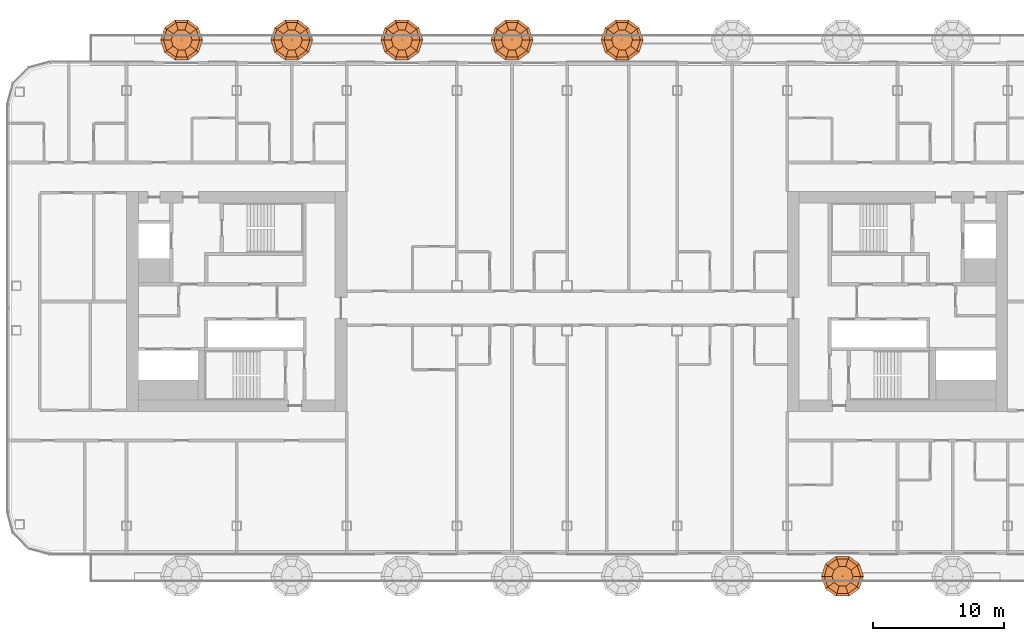
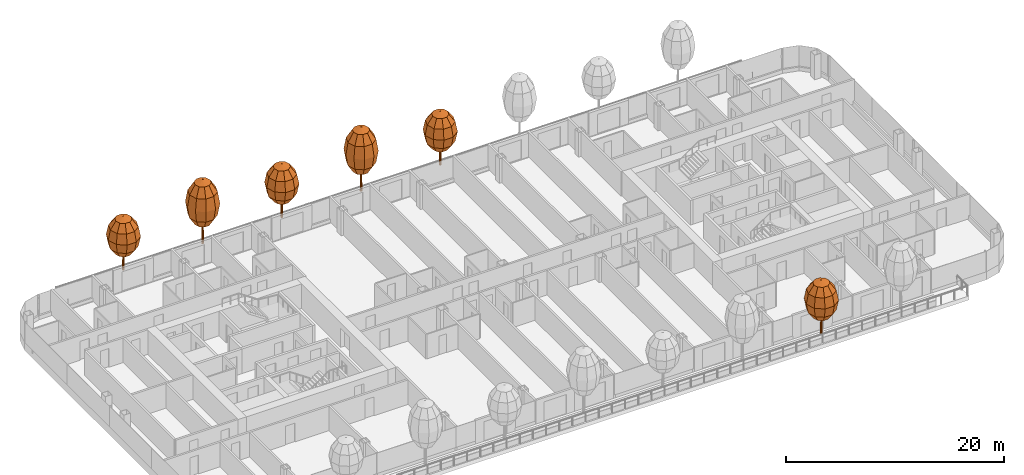
# One storey, part 29 of 30: 6 geographic elements.
"""IFC4 building model written with IfcOpenShell, lengths in metres."""

from ifc_helpers import new_model, si_unit, direction, frame, origin, place, context, subcontext, project, spatial, triangles, material, type_object, element, save


model = new_model("IFC4")

# Units and contexts
model_context = context("Model", 3, precision=1e-05, world=origin(), true_north=direction((0.0, 1.0)))
body_context = subcontext(model_context, "Body", "Model", "MODEL_VIEW")
ifc_project = project(units=[si_unit("LENGTHUNIT", "METRE"), si_unit("AREAUNIT", "SQUARE_METRE"), si_unit("VOLUMEUNIT", "CUBIC_METRE"), si_unit("PLANEANGLEUNIT", "RADIAN"), si_unit("MASSUNIT", "GRAM", prefix="KILO")], contexts=[model_context])

# Site, building, storey
site_placement = place(None, origin())
site = spatial("IfcSite", under=ifc_project, at=site_placement, CompositionType="ELEMENT")
building_placement = place(site_placement, origin())
building = spatial("IfcBuilding", under=site, at=building_placement, Name="Hakoniwa Tower and Hamabe Station Hall", CompositionType="ELEMENT")
storey_placement = place(building_placement, frame((0.0, 0.0, 137.39990234375)))
storey = spatial("IfcBuildingStorey", under=building, at=storey_placement, Name="L38", CompositionType="ELEMENT", Elevation=137.39990234375)

# Geographic elements
ifc_material_1 = material(Name="Tree foliage")
geographic_element_type_1 = type_object("IfcGeographicElementType", Name="Japanese maple 7.2 m", PredefinedType="USERDEFINED", material=ifc_material_1)
geographic_element_1_placement = place(storey_placement, frame((-21.0, 19.949951171875, 0.900146484375)))
element("IfcGeographicElement", 1, at=geographic_element_1_placement, inside=storey, type_object=geographic_element_type_1, Name="Japanese maple 7-2 m", ObjectType="TREE", PredefinedType="USERDEFINED", context=body_context, shape_type="Tessellation", body=[
    triangles([(0.125, 0.0, 0.0), (0.08837890625, 0.08837890625, 0.0), (0.0, 0.125, 0.0), (-0.08837890625, 0.08837890625, 0.0), (-0.125, 0.0, 0.0), (-0.08837890625, -0.08837890625, 0.0), (0.0, -0.125, 0.0), (0.08837890625, -0.08837890625, 0.0), (0.074951171875, 0.0, 4.348876953125), (0.052978515625, 0.052978515625, 4.348876953125), (0.0, 0.074951171875, 4.348876953125), (-0.052978515625, 0.052978515625, 4.348876953125), (-0.074951171875, 0.0, 4.348876953125), (-0.052978515625, -0.052978515625, 4.348876953125), (0.0, -0.074951171875, 4.348876953125), (0.052978515625, -0.052978515625, 4.348876953125), (0.0, 0.0, 0.0), (0.0, 0.0, 4.348876953125)], [[1, 2, 10], [1, 10, 9], [17, 2, 1], [18, 9, 10], [2, 3, 11], [2, 11, 10], [17, 3, 2], [18, 10, 11], [3, 4, 12], [3, 12, 11], [17, 4, 3], [18, 11, 12], [4, 5, 13], [4, 13, 12], [17, 5, 4], [18, 12, 13], [5, 6, 14], [5, 14, 13], [17, 6, 5], [18, 13, 14], [6, 7, 15], [6, 15, 14], [17, 7, 6], [18, 14, 15], [7, 8, 16], [7, 16, 15], [17, 8, 7], [18, 15, 16], [8, 1, 9], [8, 9, 16], [17, 1, 8], [18, 16, 9]], closed=True),
    triangles([(0.0, 0.0, 2.015869140625), (0.800048828125, 0.0, 2.36328125), (0.647216796875, 0.47021484375, 2.36328125), (0.247314453125, 0.7607421875, 2.36328125), (-0.247314453125, 0.7607421875, 2.36328125), (-0.647216796875, 0.47021484375, 2.36328125), (-0.800048828125, 0.0, 2.36328125), (-0.647216796875, -0.47021484375, 2.36328125), (-0.247314453125, -0.7607421875, 2.36328125), (0.247314453125, -0.7607421875, 2.36328125), (0.647216796875, -0.47021484375, 2.36328125), (1.385498046875, 0.0, 3.31201171875), (1.12109375, 0.814453125, 3.31201171875), (0.42822265625, 1.31787109375, 3.31201171875), (-0.42822265625, 1.31787109375, 3.31201171875), (-1.12109375, 0.814453125, 3.31201171875), (-1.385498046875, 0.0, 3.31201171875), (-1.12109375, -0.814453125, 3.31201171875), (-0.42822265625, -1.31787109375, 3.31201171875), (0.42822265625, -1.31787109375, 3.31201171875), (1.12109375, -0.814453125, 3.31201171875), (1.60009765625, 0.0, 4.60791015625), (1.29443359375, 0.9404296875, 4.60791015625), (0.494384765625, 1.521728515625, 4.60791015625), (-0.494384765625, 1.521728515625, 4.60791015625), (-1.29443359375, 0.9404296875, 4.60791015625), (-1.60009765625, 0.0, 4.60791015625), (-1.29443359375, -0.9404296875, 4.60791015625), (-0.494384765625, -1.521728515625, 4.60791015625), (0.494384765625, -1.521728515625, 4.60791015625), (1.29443359375, -0.9404296875, 4.60791015625), (1.385498046875, 0.0, 5.904052734375), (1.12109375, 0.814453125, 5.904052734375), (0.42822265625, 1.31787109375, 5.904052734375), (-0.42822265625, 1.31787109375, 5.904052734375), (-1.12109375, 0.814453125, 5.904052734375), (-1.385498046875, 0.0, 5.904052734375), (-1.12109375, -0.814453125, 5.904052734375), (-0.42822265625, -1.31787109375, 5.904052734375), (0.42822265625, -1.31787109375, 5.904052734375), (1.12109375, -0.814453125, 5.904052734375), (0.800048828125, 0.0, 6.852783203125), (0.647216796875, 0.47021484375, 6.852783203125), (0.247314453125, 0.7607421875, 6.852783203125), (-0.247314453125, 0.7607421875, 6.852783203125), (-0.647216796875, 0.47021484375, 6.852783203125), (-0.800048828125, 0.0, 6.852783203125), (-0.647216796875, -0.47021484375, 6.852783203125), (-0.247314453125, -0.7607421875, 6.852783203125), (0.247314453125, -0.7607421875, 6.852783203125), (0.647216796875, -0.47021484375, 6.852783203125), (0.0, 0.0, 7.199951171875)], [[1, 3, 2], [1, 4, 3], [1, 5, 4], [1, 6, 5], [1, 7, 6], [1, 8, 7], [1, 9, 8], [1, 10, 9], [1, 11, 10], [1, 2, 11], [2, 3, 13], [2, 13, 12], [3, 4, 14], [3, 14, 13], [4, 5, 15], [4, 15, 14], [5, 6, 16], [5, 16, 15], [6, 7, 17], [6, 17, 16], [7, 8, 18], [7, 18, 17], [8, 9, 19], [8, 19, 18], [9, 10, 20], [9, 20, 19], [10, 11, 21], [10, 21, 20], [11, 2, 12], [11, 12, 21], [12, 13, 23], [12, 23, 22], [13, 14, 24], [13, 24, 23], [14, 15, 25], [14, 25, 24], [15, 16, 26], [15, 26, 25], [16, 17, 27], [16, 27, 26], [17, 18, 28], [17, 28, 27], [18, 19, 29], [18, 29, 28], [19, 20, 30], [19, 30, 29], [20, 21, 31], [20, 31, 30], [21, 12, 22], [21, 22, 31], [22, 23, 33], [22, 33, 32], [23, 24, 34], [23, 34, 33], [24, 25, 35], [24, 35, 34], [25, 26, 36], [25, 36, 35], [26, 27, 37], [26, 37, 36], [27, 28, 38], [27, 38, 37], [28, 29, 39], [28, 39, 38], [29, 30, 40], [29, 40, 39], [30, 31, 41], [30, 41, 40], [31, 22, 32], [31, 32, 41], [32, 33, 43], [32, 43, 42], [33, 34, 44], [33, 44, 43], [34, 35, 45], [34, 45, 44], [35, 36, 46], [35, 46, 45], [36, 37, 47], [36, 47, 46], [37, 38, 48], [37, 48, 47], [38, 39, 49], [38, 49, 48], [39, 40, 50], [39, 50, 49], [40, 41, 51], [40, 51, 50], [41, 32, 42], [41, 42, 51], [52, 42, 43], [52, 43, 44], [52, 44, 45], [52, 45, 46], [52, 46, 47], [52, 47, 48], [52, 48, 49], [52, 49, 50], [52, 50, 51], [52, 51, 42]], closed=True),
])
geographic_element_2_placement = place(storey_placement, frame((-4.199951171875, 19.949951171875, 0.900146484375)))
element("IfcGeographicElement", 2, at=geographic_element_2_placement, inside=storey, type_object=geographic_element_type_1, Name="Japanese maple 7-2 m", ObjectType="TREE", PredefinedType="USERDEFINED", context=body_context, shape_type="Tessellation", body=[
    triangles([(0.125, 0.0, 0.0), (0.08837890625, 0.08837890625, 0.0), (0.0, 0.125, 0.0), (-0.08837890625, 0.08837890625, 0.0), (-0.125, 0.0, 0.0), (-0.08837890625, -0.08837890625, 0.0), (0.0, -0.125, 0.0), (0.08837890625, -0.08837890625, 0.0), (0.074951171875, 0.0, 4.348876953125), (0.052978515625, 0.052978515625, 4.348876953125), (0.0, 0.074951171875, 4.348876953125), (-0.052978515625, 0.052978515625, 4.348876953125), (-0.074951171875, 0.0, 4.348876953125), (-0.052978515625, -0.052978515625, 4.348876953125), (0.0, -0.074951171875, 4.348876953125), (0.052978515625, -0.052978515625, 4.348876953125), (0.0, 0.0, 0.0), (0.0, 0.0, 4.348876953125)], [[1, 2, 10], [1, 10, 9], [17, 2, 1], [18, 9, 10], [2, 3, 11], [2, 11, 10], [17, 3, 2], [18, 10, 11], [3, 4, 12], [3, 12, 11], [17, 4, 3], [18, 11, 12], [4, 5, 13], [4, 13, 12], [17, 5, 4], [18, 12, 13], [5, 6, 14], [5, 14, 13], [17, 6, 5], [18, 13, 14], [6, 7, 15], [6, 15, 14], [17, 7, 6], [18, 14, 15], [7, 8, 16], [7, 16, 15], [17, 8, 7], [18, 15, 16], [8, 1, 9], [8, 9, 16], [17, 1, 8], [18, 16, 9]], closed=True),
    triangles([(0.0, 0.0, 2.015869140625), (0.800048828125, 0.0, 2.36328125), (0.647216796875, 0.47021484375, 2.36328125), (0.247314453125, 0.7607421875, 2.36328125), (-0.247314453125, 0.7607421875, 2.36328125), (-0.647216796875, 0.47021484375, 2.36328125), (-0.800048828125, 0.0, 2.36328125), (-0.647216796875, -0.47021484375, 2.36328125), (-0.247314453125, -0.7607421875, 2.36328125), (0.247314453125, -0.7607421875, 2.36328125), (0.647216796875, -0.47021484375, 2.36328125), (1.385498046875, 0.0, 3.31201171875), (1.12109375, 0.814453125, 3.31201171875), (0.42822265625, 1.31787109375, 3.31201171875), (-0.42822265625, 1.31787109375, 3.31201171875), (-1.12109375, 0.814453125, 3.31201171875), (-1.385498046875, 0.0, 3.31201171875), (-1.12109375, -0.814453125, 3.31201171875), (-0.42822265625, -1.31787109375, 3.31201171875), (0.42822265625, -1.31787109375, 3.31201171875), (1.12109375, -0.814453125, 3.31201171875), (1.60009765625, 0.0, 4.60791015625), (1.29443359375, 0.9404296875, 4.60791015625), (0.494384765625, 1.521728515625, 4.60791015625), (-0.494384765625, 1.521728515625, 4.60791015625), (-1.29443359375, 0.9404296875, 4.60791015625), (-1.60009765625, 0.0, 4.60791015625), (-1.29443359375, -0.9404296875, 4.60791015625), (-0.494384765625, -1.521728515625, 4.60791015625), (0.494384765625, -1.521728515625, 4.60791015625), (1.29443359375, -0.9404296875, 4.60791015625), (1.385498046875, 0.0, 5.904052734375), (1.12109375, 0.814453125, 5.904052734375), (0.42822265625, 1.31787109375, 5.904052734375), (-0.42822265625, 1.31787109375, 5.904052734375), (-1.12109375, 0.814453125, 5.904052734375), (-1.385498046875, 0.0, 5.904052734375), (-1.12109375, -0.814453125, 5.904052734375), (-0.42822265625, -1.31787109375, 5.904052734375), (0.42822265625, -1.31787109375, 5.904052734375), (1.12109375, -0.814453125, 5.904052734375), (0.800048828125, 0.0, 6.852783203125), (0.647216796875, 0.47021484375, 6.852783203125), (0.247314453125, 0.7607421875, 6.852783203125), (-0.247314453125, 0.7607421875, 6.852783203125), (-0.647216796875, 0.47021484375, 6.852783203125), (-0.800048828125, 0.0, 6.852783203125), (-0.647216796875, -0.47021484375, 6.852783203125), (-0.247314453125, -0.7607421875, 6.852783203125), (0.247314453125, -0.7607421875, 6.852783203125), (0.647216796875, -0.47021484375, 6.852783203125), (0.0, 0.0, 7.199951171875)], [[1, 3, 2], [1, 4, 3], [1, 5, 4], [1, 6, 5], [1, 7, 6], [1, 8, 7], [1, 9, 8], [1, 10, 9], [1, 11, 10], [1, 2, 11], [2, 3, 13], [2, 13, 12], [3, 4, 14], [3, 14, 13], [4, 5, 15], [4, 15, 14], [5, 6, 16], [5, 16, 15], [6, 7, 17], [6, 17, 16], [7, 8, 18], [7, 18, 17], [8, 9, 19], [8, 19, 18], [9, 10, 20], [9, 20, 19], [10, 11, 21], [10, 21, 20], [11, 2, 12], [11, 12, 21], [12, 13, 23], [12, 23, 22], [13, 14, 24], [13, 24, 23], [14, 15, 25], [14, 25, 24], [15, 16, 26], [15, 26, 25], [16, 17, 27], [16, 27, 26], [17, 18, 28], [17, 28, 27], [18, 19, 29], [18, 29, 28], [19, 20, 30], [19, 30, 29], [20, 21, 31], [20, 31, 30], [21, 12, 22], [21, 22, 31], [22, 23, 33], [22, 33, 32], [23, 24, 34], [23, 34, 33], [24, 25, 35], [24, 35, 34], [25, 26, 36], [25, 36, 35], [26, 27, 37], [26, 37, 36], [27, 28, 38], [27, 38, 37], [28, 29, 39], [28, 39, 38], [29, 30, 40], [29, 40, 39], [30, 31, 41], [30, 41, 40], [31, 22, 32], [31, 32, 41], [32, 33, 43], [32, 43, 42], [33, 34, 44], [33, 44, 43], [34, 35, 45], [34, 45, 44], [35, 36, 46], [35, 46, 45], [36, 37, 47], [36, 47, 46], [37, 38, 48], [37, 48, 47], [38, 39, 49], [38, 49, 48], [39, 40, 50], [39, 50, 49], [40, 41, 51], [40, 51, 50], [41, 32, 42], [41, 42, 51], [52, 42, 43], [52, 43, 44], [52, 44, 45], [52, 45, 46], [52, 46, 47], [52, 47, 48], [52, 48, 49], [52, 49, 50], [52, 50, 51], [52, 51, 42]], closed=True),
])
ifc_material_2 = material(Name="Tree foliage")
geographic_element_type_2 = type_object("IfcGeographicElementType", Name="Osmanthus 6.0 m", PredefinedType="USERDEFINED", material=ifc_material_2)
geographic_element_3_placement = place(storey_placement, frame((-29.39990234375, 19.949951171875, 0.900146484375)))
element("IfcGeographicElement", 3, at=geographic_element_3_placement, inside=storey, type_object=geographic_element_type_2, Name="Osmanthus 6-0 m", ObjectType="TREE", PredefinedType="USERDEFINED", context=body_context, shape_type="Tessellation", body=[
    triangles([(0.125, 0.0, 0.0), (0.08837890625, 0.08837890625, 0.0), (0.0, 0.125, 0.0), (-0.08837890625, 0.08837890625, 0.0), (-0.125, 0.0, 0.0), (-0.08837890625, -0.08837890625, 0.0), (0.0, -0.125, 0.0), (0.08837890625, -0.08837890625, 0.0), (0.074951171875, 0.0, 3.6240234375), (0.052978515625, 0.052978515625, 3.6240234375), (0.0, 0.074951171875, 3.6240234375), (-0.052978515625, 0.052978515625, 3.6240234375), (-0.074951171875, 0.0, 3.6240234375), (-0.052978515625, -0.052978515625, 3.6240234375), (0.0, -0.074951171875, 3.6240234375), (0.052978515625, -0.052978515625, 3.6240234375), (0.0, 0.0, 0.0), (0.0, 0.0, 3.6240234375)], [[1, 2, 10], [1, 10, 9], [17, 2, 1], [18, 9, 10], [2, 3, 11], [2, 11, 10], [17, 3, 2], [18, 10, 11], [3, 4, 12], [3, 12, 11], [17, 4, 3], [18, 11, 12], [4, 5, 13], [4, 13, 12], [17, 5, 4], [18, 12, 13], [5, 6, 14], [5, 14, 13], [17, 6, 5], [18, 13, 14], [6, 7, 15], [6, 15, 14], [17, 7, 6], [18, 14, 15], [7, 8, 16], [7, 16, 15], [17, 8, 7], [18, 15, 16], [8, 1, 9], [8, 9, 16], [17, 1, 8], [18, 16, 9]], closed=True),
    triangles([(0.0, 0.0, 1.679931640625), (0.800048828125, 0.0, 1.969482421875), (0.647216796875, 0.47021484375, 1.969482421875), (0.247314453125, 0.7607421875, 1.969482421875), (-0.247314453125, 0.7607421875, 1.969482421875), (-0.647216796875, 0.47021484375, 1.969482421875), (-0.800048828125, 0.0, 1.969482421875), (-0.647216796875, -0.47021484375, 1.969482421875), (-0.247314453125, -0.7607421875, 1.969482421875), (0.247314453125, -0.7607421875, 1.969482421875), (0.647216796875, -0.47021484375, 1.969482421875), (1.385498046875, 0.0, 2.760009765625), (1.12109375, 0.814453125, 2.760009765625), (0.42822265625, 1.31787109375, 2.760009765625), (-0.42822265625, 1.31787109375, 2.760009765625), (-1.12109375, 0.814453125, 2.760009765625), (-1.385498046875, 0.0, 2.760009765625), (-1.12109375, -0.814453125, 2.760009765625), (-0.42822265625, -1.31787109375, 2.760009765625), (0.42822265625, -1.31787109375, 2.760009765625), (1.12109375, -0.814453125, 2.760009765625), (1.60009765625, 0.0, 3.840087890625), (1.29443359375, 0.9404296875, 3.840087890625), (0.494384765625, 1.521728515625, 3.840087890625), (-0.494384765625, 1.521728515625, 3.840087890625), (-1.29443359375, 0.9404296875, 3.840087890625), (-1.60009765625, 0.0, 3.840087890625), (-1.29443359375, -0.9404296875, 3.840087890625), (-0.494384765625, -1.521728515625, 3.840087890625), (0.494384765625, -1.521728515625, 3.840087890625), (1.29443359375, -0.9404296875, 3.840087890625), (1.385498046875, 0.0, 4.919921875), (1.12109375, 0.814453125, 4.919921875), (0.42822265625, 1.31787109375, 4.919921875), (-0.42822265625, 1.31787109375, 4.919921875), (-1.12109375, 0.814453125, 4.919921875), (-1.385498046875, 0.0, 4.919921875), (-1.12109375, -0.814453125, 4.919921875), (-0.42822265625, -1.31787109375, 4.919921875), (0.42822265625, -1.31787109375, 4.919921875), (1.12109375, -0.814453125, 4.919921875), (0.800048828125, 0.0, 5.710693359375), (0.647216796875, 0.47021484375, 5.710693359375), (0.247314453125, 0.7607421875, 5.710693359375), (-0.247314453125, 0.7607421875, 5.710693359375), (-0.647216796875, 0.47021484375, 5.710693359375), (-0.800048828125, 0.0, 5.710693359375), (-0.647216796875, -0.47021484375, 5.710693359375), (-0.247314453125, -0.7607421875, 5.710693359375), (0.247314453125, -0.7607421875, 5.710693359375), (0.647216796875, -0.47021484375, 5.710693359375), (0.0, 0.0, 6.0)], [[1, 3, 2], [1, 4, 3], [1, 5, 4], [1, 6, 5], [1, 7, 6], [1, 8, 7], [1, 9, 8], [1, 10, 9], [1, 11, 10], [1, 2, 11], [2, 3, 13], [2, 13, 12], [3, 4, 14], [3, 14, 13], [4, 5, 15], [4, 15, 14], [5, 6, 16], [5, 16, 15], [6, 7, 17], [6, 17, 16], [7, 8, 18], [7, 18, 17], [8, 9, 19], [8, 19, 18], [9, 10, 20], [9, 20, 19], [10, 11, 21], [10, 21, 20], [11, 2, 12], [11, 12, 21], [12, 13, 23], [12, 23, 22], [13, 14, 24], [13, 24, 23], [14, 15, 25], [14, 25, 24], [15, 16, 26], [15, 26, 25], [16, 17, 27], [16, 27, 26], [17, 18, 28], [17, 28, 27], [18, 19, 29], [18, 29, 28], [19, 20, 30], [19, 30, 29], [20, 21, 31], [20, 31, 30], [21, 12, 22], [21, 22, 31], [22, 23, 33], [22, 33, 32], [23, 24, 34], [23, 34, 33], [24, 25, 35], [24, 35, 34], [25, 26, 36], [25, 36, 35], [26, 27, 37], [26, 37, 36], [27, 28, 38], [27, 38, 37], [28, 29, 39], [28, 39, 38], [29, 30, 40], [29, 40, 39], [30, 31, 41], [30, 41, 40], [31, 22, 32], [31, 32, 41], [32, 33, 43], [32, 43, 42], [33, 34, 44], [33, 44, 43], [34, 35, 45], [34, 45, 44], [35, 36, 46], [35, 46, 45], [36, 37, 47], [36, 47, 46], [37, 38, 48], [37, 48, 47], [38, 39, 49], [38, 49, 48], [39, 40, 50], [39, 50, 49], [40, 41, 51], [40, 51, 50], [41, 32, 42], [41, 42, 51], [52, 42, 43], [52, 43, 44], [52, 44, 45], [52, 45, 46], [52, 46, 47], [52, 47, 48], [52, 48, 49], [52, 49, 50], [52, 50, 51], [52, 51, 42]], closed=True),
])
geographic_element_4_placement = place(storey_placement, frame((-12.60009765625, 19.949951171875, 0.900146484375)))
element("IfcGeographicElement", 4, at=geographic_element_4_placement, inside=storey, type_object=geographic_element_type_2, Name="Osmanthus 6-0 m", ObjectType="TREE", PredefinedType="USERDEFINED", context=body_context, shape_type="Tessellation", body=[
    triangles([(0.125, 0.0, 0.0), (0.08837890625, 0.08837890625, 0.0), (0.0, 0.125, 0.0), (-0.08837890625, 0.08837890625, 0.0), (-0.125, 0.0, 0.0), (-0.08837890625, -0.08837890625, 0.0), (0.0, -0.125, 0.0), (0.08837890625, -0.08837890625, 0.0), (0.074951171875, 0.0, 3.6240234375), (0.052978515625, 0.052978515625, 3.6240234375), (0.0, 0.074951171875, 3.6240234375), (-0.052978515625, 0.052978515625, 3.6240234375), (-0.074951171875, 0.0, 3.6240234375), (-0.052978515625, -0.052978515625, 3.6240234375), (0.0, -0.074951171875, 3.6240234375), (0.052978515625, -0.052978515625, 3.6240234375), (0.0, 0.0, 0.0), (0.0, 0.0, 3.6240234375)], [[1, 2, 10], [1, 10, 9], [17, 2, 1], [18, 9, 10], [2, 3, 11], [2, 11, 10], [17, 3, 2], [18, 10, 11], [3, 4, 12], [3, 12, 11], [17, 4, 3], [18, 11, 12], [4, 5, 13], [4, 13, 12], [17, 5, 4], [18, 12, 13], [5, 6, 14], [5, 14, 13], [17, 6, 5], [18, 13, 14], [6, 7, 15], [6, 15, 14], [17, 7, 6], [18, 14, 15], [7, 8, 16], [7, 16, 15], [17, 8, 7], [18, 15, 16], [8, 1, 9], [8, 9, 16], [17, 1, 8], [18, 16, 9]], closed=True),
    triangles([(0.0, 0.0, 1.679931640625), (0.800048828125, 0.0, 1.969482421875), (0.647216796875, 0.47021484375, 1.969482421875), (0.247314453125, 0.7607421875, 1.969482421875), (-0.247314453125, 0.7607421875, 1.969482421875), (-0.647216796875, 0.47021484375, 1.969482421875), (-0.800048828125, 0.0, 1.969482421875), (-0.647216796875, -0.47021484375, 1.969482421875), (-0.247314453125, -0.7607421875, 1.969482421875), (0.247314453125, -0.7607421875, 1.969482421875), (0.647216796875, -0.47021484375, 1.969482421875), (1.385498046875, 0.0, 2.760009765625), (1.12109375, 0.814453125, 2.760009765625), (0.42822265625, 1.31787109375, 2.760009765625), (-0.42822265625, 1.31787109375, 2.760009765625), (-1.12109375, 0.814453125, 2.760009765625), (-1.385498046875, 0.0, 2.760009765625), (-1.12109375, -0.814453125, 2.760009765625), (-0.42822265625, -1.31787109375, 2.760009765625), (0.42822265625, -1.31787109375, 2.760009765625), (1.12109375, -0.814453125, 2.760009765625), (1.60009765625, 0.0, 3.840087890625), (1.29443359375, 0.9404296875, 3.840087890625), (0.494384765625, 1.521728515625, 3.840087890625), (-0.494384765625, 1.521728515625, 3.840087890625), (-1.29443359375, 0.9404296875, 3.840087890625), (-1.60009765625, 0.0, 3.840087890625), (-1.29443359375, -0.9404296875, 3.840087890625), (-0.494384765625, -1.521728515625, 3.840087890625), (0.494384765625, -1.521728515625, 3.840087890625), (1.29443359375, -0.9404296875, 3.840087890625), (1.385498046875, 0.0, 4.919921875), (1.12109375, 0.814453125, 4.919921875), (0.42822265625, 1.31787109375, 4.919921875), (-0.42822265625, 1.31787109375, 4.919921875), (-1.12109375, 0.814453125, 4.919921875), (-1.385498046875, 0.0, 4.919921875), (-1.12109375, -0.814453125, 4.919921875), (-0.42822265625, -1.31787109375, 4.919921875), (0.42822265625, -1.31787109375, 4.919921875), (1.12109375, -0.814453125, 4.919921875), (0.800048828125, 0.0, 5.710693359375), (0.647216796875, 0.47021484375, 5.710693359375), (0.247314453125, 0.7607421875, 5.710693359375), (-0.247314453125, 0.7607421875, 5.710693359375), (-0.647216796875, 0.47021484375, 5.710693359375), (-0.800048828125, 0.0, 5.710693359375), (-0.647216796875, -0.47021484375, 5.710693359375), (-0.247314453125, -0.7607421875, 5.710693359375), (0.247314453125, -0.7607421875, 5.710693359375), (0.647216796875, -0.47021484375, 5.710693359375), (0.0, 0.0, 6.0)], [[1, 3, 2], [1, 4, 3], [1, 5, 4], [1, 6, 5], [1, 7, 6], [1, 8, 7], [1, 9, 8], [1, 10, 9], [1, 11, 10], [1, 2, 11], [2, 3, 13], [2, 13, 12], [3, 4, 14], [3, 14, 13], [4, 5, 15], [4, 15, 14], [5, 6, 16], [5, 16, 15], [6, 7, 17], [6, 17, 16], [7, 8, 18], [7, 18, 17], [8, 9, 19], [8, 19, 18], [9, 10, 20], [9, 20, 19], [10, 11, 21], [10, 21, 20], [11, 2, 12], [11, 12, 21], [12, 13, 23], [12, 23, 22], [13, 14, 24], [13, 24, 23], [14, 15, 25], [14, 25, 24], [15, 16, 26], [15, 26, 25], [16, 17, 27], [16, 27, 26], [17, 18, 28], [17, 28, 27], [18, 19, 29], [18, 29, 28], [19, 20, 30], [19, 30, 29], [20, 21, 31], [20, 31, 30], [21, 12, 22], [21, 22, 31], [22, 23, 33], [22, 33, 32], [23, 24, 34], [23, 34, 33], [24, 25, 35], [24, 35, 34], [25, 26, 36], [25, 36, 35], [26, 27, 37], [26, 37, 36], [27, 28, 38], [27, 38, 37], [28, 29, 39], [28, 39, 38], [29, 30, 40], [29, 40, 39], [30, 31, 41], [30, 41, 40], [31, 22, 32], [31, 32, 41], [32, 33, 43], [32, 43, 42], [33, 34, 44], [33, 44, 43], [34, 35, 45], [34, 45, 44], [35, 36, 46], [35, 46, 45], [36, 37, 47], [36, 47, 46], [37, 38, 48], [37, 48, 47], [38, 39, 49], [38, 49, 48], [39, 40, 50], [39, 50, 49], [40, 41, 51], [40, 51, 50], [41, 32, 42], [41, 42, 51], [52, 42, 43], [52, 43, 44], [52, 44, 45], [52, 45, 46], [52, 46, 47], [52, 47, 48], [52, 48, 49], [52, 49, 50], [52, 50, 51], [52, 51, 42]], closed=True),
])
geographic_element_5_placement = place(storey_placement, frame((4.199951171875, 19.949951171875, 0.900146484375)))
element("IfcGeographicElement", 5, at=geographic_element_5_placement, inside=storey, type_object=geographic_element_type_2, Name="Osmanthus 6-0 m", ObjectType="TREE", PredefinedType="USERDEFINED", context=body_context, shape_type="Tessellation", body=[
    triangles([(0.125, 0.0, 0.0), (0.08837890625, 0.08837890625, 0.0), (0.0, 0.125, 0.0), (-0.08837890625, 0.08837890625, 0.0), (-0.125, 0.0, 0.0), (-0.08837890625, -0.08837890625, 0.0), (0.0, -0.125, 0.0), (0.08837890625, -0.08837890625, 0.0), (0.074951171875, 0.0, 3.6240234375), (0.052978515625, 0.052978515625, 3.6240234375), (0.0, 0.074951171875, 3.6240234375), (-0.052978515625, 0.052978515625, 3.6240234375), (-0.074951171875, 0.0, 3.6240234375), (-0.052978515625, -0.052978515625, 3.6240234375), (0.0, -0.074951171875, 3.6240234375), (0.052978515625, -0.052978515625, 3.6240234375), (0.0, 0.0, 0.0), (0.0, 0.0, 3.6240234375)], [[1, 2, 10], [1, 10, 9], [17, 2, 1], [18, 9, 10], [2, 3, 11], [2, 11, 10], [17, 3, 2], [18, 10, 11], [3, 4, 12], [3, 12, 11], [17, 4, 3], [18, 11, 12], [4, 5, 13], [4, 13, 12], [17, 5, 4], [18, 12, 13], [5, 6, 14], [5, 14, 13], [17, 6, 5], [18, 13, 14], [6, 7, 15], [6, 15, 14], [17, 7, 6], [18, 14, 15], [7, 8, 16], [7, 16, 15], [17, 8, 7], [18, 15, 16], [8, 1, 9], [8, 9, 16], [17, 1, 8], [18, 16, 9]], closed=True),
    triangles([(0.0, 0.0, 1.679931640625), (0.800048828125, 0.0, 1.969482421875), (0.647216796875, 0.47021484375, 1.969482421875), (0.247314453125, 0.7607421875, 1.969482421875), (-0.247314453125, 0.7607421875, 1.969482421875), (-0.647216796875, 0.47021484375, 1.969482421875), (-0.800048828125, 0.0, 1.969482421875), (-0.647216796875, -0.47021484375, 1.969482421875), (-0.247314453125, -0.7607421875, 1.969482421875), (0.247314453125, -0.7607421875, 1.969482421875), (0.647216796875, -0.47021484375, 1.969482421875), (1.385498046875, 0.0, 2.760009765625), (1.12109375, 0.814453125, 2.760009765625), (0.42822265625, 1.31787109375, 2.760009765625), (-0.42822265625, 1.31787109375, 2.760009765625), (-1.12109375, 0.814453125, 2.760009765625), (-1.385498046875, 0.0, 2.760009765625), (-1.12109375, -0.814453125, 2.760009765625), (-0.42822265625, -1.31787109375, 2.760009765625), (0.42822265625, -1.31787109375, 2.760009765625), (1.12109375, -0.814453125, 2.760009765625), (1.60009765625, 0.0, 3.840087890625), (1.29443359375, 0.9404296875, 3.840087890625), (0.494384765625, 1.521728515625, 3.840087890625), (-0.494384765625, 1.521728515625, 3.840087890625), (-1.29443359375, 0.9404296875, 3.840087890625), (-1.60009765625, 0.0, 3.840087890625), (-1.29443359375, -0.9404296875, 3.840087890625), (-0.494384765625, -1.521728515625, 3.840087890625), (0.494384765625, -1.521728515625, 3.840087890625), (1.29443359375, -0.9404296875, 3.840087890625), (1.385498046875, 0.0, 4.919921875), (1.12109375, 0.814453125, 4.919921875), (0.42822265625, 1.31787109375, 4.919921875), (-0.42822265625, 1.31787109375, 4.919921875), (-1.12109375, 0.814453125, 4.919921875), (-1.385498046875, 0.0, 4.919921875), (-1.12109375, -0.814453125, 4.919921875), (-0.42822265625, -1.31787109375, 4.919921875), (0.42822265625, -1.31787109375, 4.919921875), (1.12109375, -0.814453125, 4.919921875), (0.800048828125, 0.0, 5.710693359375), (0.647216796875, 0.47021484375, 5.710693359375), (0.247314453125, 0.7607421875, 5.710693359375), (-0.247314453125, 0.7607421875, 5.710693359375), (-0.647216796875, 0.47021484375, 5.710693359375), (-0.800048828125, 0.0, 5.710693359375), (-0.647216796875, -0.47021484375, 5.710693359375), (-0.247314453125, -0.7607421875, 5.710693359375), (0.247314453125, -0.7607421875, 5.710693359375), (0.647216796875, -0.47021484375, 5.710693359375), (0.0, 0.0, 6.0)], [[1, 3, 2], [1, 4, 3], [1, 5, 4], [1, 6, 5], [1, 7, 6], [1, 8, 7], [1, 9, 8], [1, 10, 9], [1, 11, 10], [1, 2, 11], [2, 3, 13], [2, 13, 12], [3, 4, 14], [3, 14, 13], [4, 5, 15], [4, 15, 14], [5, 6, 16], [5, 16, 15], [6, 7, 17], [6, 17, 16], [7, 8, 18], [7, 18, 17], [8, 9, 19], [8, 19, 18], [9, 10, 20], [9, 20, 19], [10, 11, 21], [10, 21, 20], [11, 2, 12], [11, 12, 21], [12, 13, 23], [12, 23, 22], [13, 14, 24], [13, 24, 23], [14, 15, 25], [14, 25, 24], [15, 16, 26], [15, 26, 25], [16, 17, 27], [16, 27, 26], [17, 18, 28], [17, 28, 27], [18, 19, 29], [18, 29, 28], [19, 20, 30], [19, 30, 29], [20, 21, 31], [20, 31, 30], [21, 12, 22], [21, 22, 31], [22, 23, 33], [22, 33, 32], [23, 24, 34], [23, 34, 33], [24, 25, 35], [24, 35, 34], [25, 26, 36], [25, 36, 35], [26, 27, 37], [26, 37, 36], [27, 28, 38], [27, 38, 37], [28, 29, 39], [28, 39, 38], [29, 30, 40], [29, 40, 39], [30, 31, 41], [30, 41, 40], [31, 22, 32], [31, 32, 41], [32, 33, 43], [32, 43, 42], [33, 34, 44], [33, 44, 43], [34, 35, 45], [34, 45, 44], [35, 36, 46], [35, 46, 45], [36, 37, 47], [36, 47, 46], [37, 38, 48], [37, 48, 47], [38, 39, 49], [38, 49, 48], [39, 40, 50], [39, 50, 49], [40, 41, 51], [40, 51, 50], [41, 32, 42], [41, 42, 51], [52, 42, 43], [52, 43, 44], [52, 44, 45], [52, 45, 46], [52, 46, 47], [52, 47, 48], [52, 48, 49], [52, 49, 50], [52, 50, 51], [52, 51, 42]], closed=True),
])
geographic_element_6_placement = place(storey_placement, frame((21.0, -20.949951171875, 0.900146484375)))
element("IfcGeographicElement", 6, at=geographic_element_6_placement, inside=storey, type_object=geographic_element_type_2, Name="Osmanthus 6-0 m", ObjectType="TREE", PredefinedType="USERDEFINED", context=body_context, shape_type="Tessellation", body=[
    triangles([(0.125, 0.0, 0.0), (0.08837890625, 0.08837890625, 0.0), (0.0, 0.125, 0.0), (-0.08837890625, 0.08837890625, 0.0), (-0.125, 0.0, 0.0), (-0.08837890625, -0.08837890625, 0.0), (0.0, -0.125, 0.0), (0.08837890625, -0.08837890625, 0.0), (0.074951171875, 0.0, 3.6240234375), (0.052978515625, 0.052978515625, 3.6240234375), (0.0, 0.074951171875, 3.6240234375), (-0.052978515625, 0.052978515625, 3.6240234375), (-0.074951171875, 0.0, 3.6240234375), (-0.052978515625, -0.052978515625, 3.6240234375), (0.0, -0.074951171875, 3.6240234375), (0.052978515625, -0.052978515625, 3.6240234375), (0.0, 0.0, 0.0), (0.0, 0.0, 3.6240234375)], [[1, 2, 10], [1, 10, 9], [17, 2, 1], [18, 9, 10], [2, 3, 11], [2, 11, 10], [17, 3, 2], [18, 10, 11], [3, 4, 12], [3, 12, 11], [17, 4, 3], [18, 11, 12], [4, 5, 13], [4, 13, 12], [17, 5, 4], [18, 12, 13], [5, 6, 14], [5, 14, 13], [17, 6, 5], [18, 13, 14], [6, 7, 15], [6, 15, 14], [17, 7, 6], [18, 14, 15], [7, 8, 16], [7, 16, 15], [17, 8, 7], [18, 15, 16], [8, 1, 9], [8, 9, 16], [17, 1, 8], [18, 16, 9]], closed=True),
    triangles([(0.0, 0.0, 1.679931640625), (0.800048828125, 0.0, 1.969482421875), (0.647216796875, 0.47021484375, 1.969482421875), (0.247314453125, 0.7607421875, 1.969482421875), (-0.247314453125, 0.7607421875, 1.969482421875), (-0.647216796875, 0.47021484375, 1.969482421875), (-0.800048828125, 0.0, 1.969482421875), (-0.647216796875, -0.47021484375, 1.969482421875), (-0.247314453125, -0.7607421875, 1.969482421875), (0.247314453125, -0.7607421875, 1.969482421875), (0.647216796875, -0.47021484375, 1.969482421875), (1.385498046875, 0.0, 2.760009765625), (1.12109375, 0.814453125, 2.760009765625), (0.42822265625, 1.31787109375, 2.760009765625), (-0.42822265625, 1.31787109375, 2.760009765625), (-1.12109375, 0.814453125, 2.760009765625), (-1.385498046875, 0.0, 2.760009765625), (-1.12109375, -0.814453125, 2.760009765625), (-0.42822265625, -1.31787109375, 2.760009765625), (0.42822265625, -1.31787109375, 2.760009765625), (1.12109375, -0.814453125, 2.760009765625), (1.60009765625, 0.0, 3.840087890625), (1.29443359375, 0.9404296875, 3.840087890625), (0.494384765625, 1.521728515625, 3.840087890625), (-0.494384765625, 1.521728515625, 3.840087890625), (-1.29443359375, 0.9404296875, 3.840087890625), (-1.60009765625, 0.0, 3.840087890625), (-1.29443359375, -0.9404296875, 3.840087890625), (-0.494384765625, -1.521728515625, 3.840087890625), (0.494384765625, -1.521728515625, 3.840087890625), (1.29443359375, -0.9404296875, 3.840087890625), (1.385498046875, 0.0, 4.919921875), (1.12109375, 0.814453125, 4.919921875), (0.42822265625, 1.31787109375, 4.919921875), (-0.42822265625, 1.31787109375, 4.919921875), (-1.12109375, 0.814453125, 4.919921875), (-1.385498046875, 0.0, 4.919921875), (-1.12109375, -0.814453125, 4.919921875), (-0.42822265625, -1.31787109375, 4.919921875), (0.42822265625, -1.31787109375, 4.919921875), (1.12109375, -0.814453125, 4.919921875), (0.800048828125, 0.0, 5.710693359375), (0.647216796875, 0.47021484375, 5.710693359375), (0.247314453125, 0.7607421875, 5.710693359375), (-0.247314453125, 0.7607421875, 5.710693359375), (-0.647216796875, 0.47021484375, 5.710693359375), (-0.800048828125, 0.0, 5.710693359375), (-0.647216796875, -0.47021484375, 5.710693359375), (-0.247314453125, -0.7607421875, 5.710693359375), (0.247314453125, -0.7607421875, 5.710693359375), (0.647216796875, -0.47021484375, 5.710693359375), (0.0, 0.0, 6.0)], [[1, 3, 2], [1, 4, 3], [1, 5, 4], [1, 6, 5], [1, 7, 6], [1, 8, 7], [1, 9, 8], [1, 10, 9], [1, 11, 10], [1, 2, 11], [2, 3, 13], [2, 13, 12], [3, 4, 14], [3, 14, 13], [4, 5, 15], [4, 15, 14], [5, 6, 16], [5, 16, 15], [6, 7, 17], [6, 17, 16], [7, 8, 18], [7, 18, 17], [8, 9, 19], [8, 19, 18], [9, 10, 20], [9, 20, 19], [10, 11, 21], [10, 21, 20], [11, 2, 12], [11, 12, 21], [12, 13, 23], [12, 23, 22], [13, 14, 24], [13, 24, 23], [14, 15, 25], [14, 25, 24], [15, 16, 26], [15, 26, 25], [16, 17, 27], [16, 27, 26], [17, 18, 28], [17, 28, 27], [18, 19, 29], [18, 29, 28], [19, 20, 30], [19, 30, 29], [20, 21, 31], [20, 31, 30], [21, 12, 22], [21, 22, 31], [22, 23, 33], [22, 33, 32], [23, 24, 34], [23, 34, 33], [24, 25, 35], [24, 35, 34], [25, 26, 36], [25, 36, 35], [26, 27, 37], [26, 37, 36], [27, 28, 38], [27, 38, 37], [28, 29, 39], [28, 39, 38], [29, 30, 40], [29, 40, 39], [30, 31, 41], [30, 41, 40], [31, 22, 32], [31, 32, 41], [32, 33, 43], [32, 43, 42], [33, 34, 44], [33, 44, 43], [34, 35, 45], [34, 45, 44], [35, 36, 46], [35, 46, 45], [36, 37, 47], [36, 47, 46], [37, 38, 48], [37, 48, 47], [38, 39, 49], [38, 49, 48], [39, 40, 50], [39, 50, 49], [40, 41, 51], [40, 51, 50], [41, 32, 42], [41, 42, 51], [52, 42, 43], [52, 43, 44], [52, 44, 45], [52, 45, 46], [52, 46, 47], [52, 47, 48], [52, 48, 49], [52, 49, 50], [52, 50, 51], [52, 51, 42]], closed=True),
])

save(model, "model.ifc")
